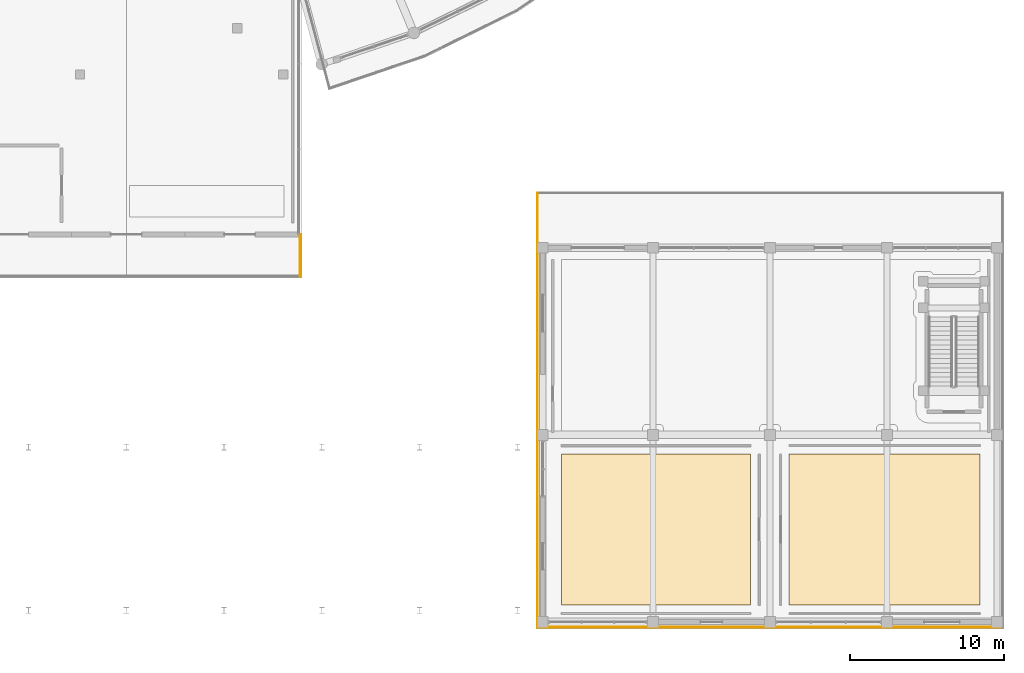
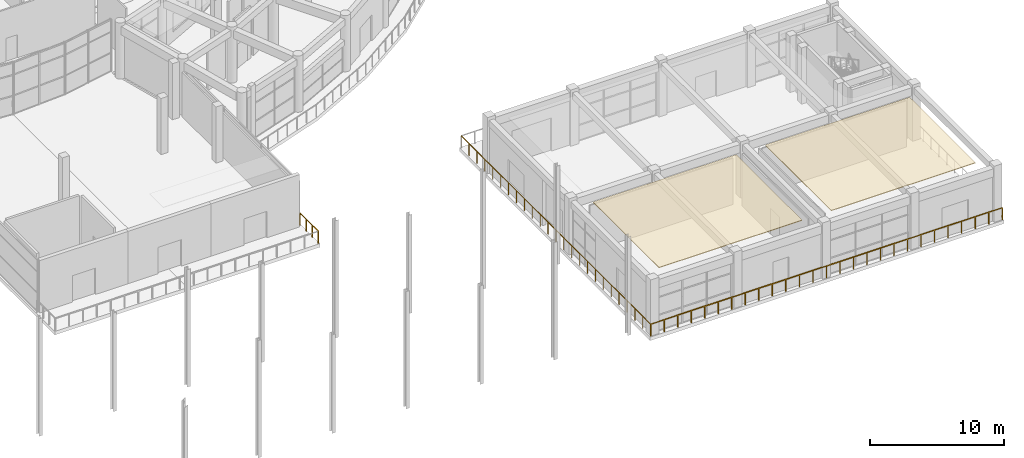
# One storey, part 82 of 99: 3 railings, 2 coverings.
"""IFC4 building model written with IfcOpenShell, lengths in metres."""

from ifc_helpers import new_model, si_unit, direction, frame, origin, origin_2d, place, context, subcontext, project, spatial, polyline, rectangle, outline, extrude, material, layer, layer_set, type_object, element, save


model = new_model("IFC4")

# Units and contexts
model_context = context("Model", 3, precision=1e-05, world=origin(), true_north=direction((0.0, 1.0)))
body_context = subcontext(model_context, "Body", "Model", "MODEL_VIEW")
ifc_project = project(units=[si_unit("LENGTHUNIT", "METRE"), si_unit("AREAUNIT", "SQUARE_METRE"), si_unit("VOLUMEUNIT", "CUBIC_METRE"), si_unit("PLANEANGLEUNIT", "RADIAN"), si_unit("MASSUNIT", "GRAM", prefix="KILO")], contexts=[model_context])

# Site, building, storey
site_placement = place(None, origin())
site = spatial("IfcSite", under=ifc_project, at=site_placement, CompositionType="ELEMENT")
building_placement = place(site_placement, origin())
building = spatial("IfcBuilding", under=site, at=building_placement, Name="Saryqyr Civic Hall", CompositionType="ELEMENT")
storey_placement = place(building_placement, origin())
storey = spatial("IfcBuildingStorey", under=building, at=storey_placement, Name="L00", CompositionType="ELEMENT", Elevation=0.0)

# Coverings
ifc_material_1 = material(Name="Mineral-fibre acoustic ceiling tile", Category="acoustic_tile")
ifc_layer_1 = layer(ifc_material_1, 0.06005859375, Name="Mineral-fibre acoustic ceiling tile")
ifc_layer_set_1 = layer_set([ifc_layer_1], Name="Mineral-fibre acoustic ceiling tile")
covering_type = type_object("IfcCoveringType", Name="INT-COV-CEIL-60", PredefinedType="CEILING", material=ifc_layer_set_1)
covering_1_placement = place(storey_placement, frame((0.0, 0.0, 4.760009765625)))
element("IfcCovering", 1, at=covering_1_placement, inside=storey, type_object=covering_type, Name="Acoustic ceiling Accredited Media Entrance & Press Desk", PredefinedType="CEILING", context=body_context, shape_type="SweptSolid", body=[
    extrude(outline(polyline([(85.25, 1.550048828125), (85.25, 11.35009765625), (97.550048828125, 11.35009765625), (97.550048828125, 1.550048828125), (85.25, 1.550048828125)])), origin(), (0.0, 0.0, 1.0), 0.06005859375),
])
covering_2_placement = place(storey_placement, frame((0.0, 0.0, 4.760009765625)))
element("IfcCovering", 2, at=covering_2_placement, inside=storey, type_object=covering_type, Name="Acoustic ceiling Central Mailroom & Facility Store", PredefinedType="CEILING", context=body_context, shape_type="SweptSolid", body=[
    extrude(outline(polyline([(100.050048828125, 1.550048828125), (100.050048828125, 11.35009765625), (112.449951171875, 11.35009765625), (112.449951171875, 1.550048828125), (100.050048828125, 1.550048828125)])), origin(), (0.0, 0.0, 1.0), 0.06005859375),
])

# Railings
ifc_material_2 = material(Name="Warm brushed brass and laminated glass", Category="glass")
ifc_layer_2 = layer(ifc_material_2, 0.06005859375, Name="Warm brushed brass and laminated glass")
ifc_layer_set_2 = layer_set([ifc_layer_2], Name="Warm brushed brass and laminated glass")
railing_type = type_object("IfcRailingType", Name="INT-RLG-BAL-1100", PredefinedType="BALUSTRADE", material=ifc_layer_set_2)
railing_1_placement = place(storey_placement, frame((113.89990234375, 0.10009765625, 0.0)))
element("IfcRailing", 3, at=railing_1_placement, inside=storey, type_object=railing_type, Name="Interior deck safety balustrade L00-003", PredefinedType="BALUSTRADE", context=body_context, shape_type="SweptSolid", body=[
    extrude(rectangle(XDim=0.048095703125, YDim=0.048095703125, at=origin_2d()), frame((0.0, 0.0, 1.09619140625), z_axis=(-1.0, 0.0, 0.0), x_axis=(0.0, -1.0, 0.0)), (0.0, 0.0, 1.0), 30.199951171875),
    extrude(rectangle(XDim=0.0419921875, YDim=0.0419921875, at=origin_2d()), origin(), (0.0, 0.0, 1.0), 1.072021484375),
    extrude(rectangle(XDim=0.0419921875, YDim=0.0419921875, at=origin_2d()), frame((-1.16162109375, 0.0, 0.0)), (0.0, 0.0, 1.0), 1.072021484375),
    extrude(rectangle(XDim=0.0419921875, YDim=0.0419921875, at=origin_2d()), frame((-2.322998046875, 0.0, 0.0)), (0.0, 0.0, 1.0), 1.072021484375),
    extrude(rectangle(XDim=0.0419921875, YDim=0.0419921875, at=origin_2d()), frame((-3.484619140625, 0.0, 0.0)), (0.0, 0.0, 1.0), 1.072021484375),
    extrude(rectangle(XDim=0.0419921875, YDim=0.0419921875, at=origin_2d()), frame((-4.646240234375, 0.0, 0.0)), (0.0, 0.0, 1.0), 1.072021484375),
    extrude(rectangle(XDim=0.0419921875, YDim=0.0419921875, at=origin_2d()), frame((-5.8076171875, 0.0, 0.0)), (0.0, 0.0, 1.0), 1.072021484375),
    extrude(rectangle(XDim=0.0419921875, YDim=0.0419921875, at=origin_2d()), frame((-6.96923828125, 0.0, 0.0)), (0.0, 0.0, 1.0), 1.072021484375),
    extrude(rectangle(XDim=0.0419921875, YDim=0.0419921875, at=origin_2d()), frame((-8.130859375, 0.0, 0.0)), (0.0, 0.0, 1.0), 1.072021484375),
    extrude(rectangle(XDim=0.0419921875, YDim=0.0419921875, at=origin_2d()), frame((-9.292236328125, 0.0, 0.0)), (0.0, 0.0, 1.0), 1.072021484375),
    extrude(rectangle(XDim=0.0419921875, YDim=0.0419921875, at=origin_2d()), frame((-10.453857421875, 0.0, 0.0)), (0.0, 0.0, 1.0), 1.072021484375),
    extrude(rectangle(XDim=0.0419921875, YDim=0.0419921875, at=origin_2d()), frame((-11.615478515625, 0.0, 0.0)), (0.0, 0.0, 1.0), 1.072021484375),
    extrude(rectangle(XDim=0.0419921875, YDim=0.0419921875, at=origin_2d()), frame((-12.77685546875, 0.0, 0.0)), (0.0, 0.0, 1.0), 1.072021484375),
    extrude(rectangle(XDim=0.0419921875, YDim=0.0419921875, at=origin_2d()), frame((-13.9384765625, 0.0, 0.0)), (0.0, 0.0, 1.0), 1.072021484375),
    extrude(rectangle(XDim=0.0419921875, YDim=0.0419921875, at=origin_2d()), frame((-15.10009765625, 0.0, 0.0)), (0.0, 0.0, 1.0), 1.072021484375),
    extrude(rectangle(XDim=0.0419921875, YDim=0.0419921875, at=origin_2d()), frame((-16.261474609375, 0.0, 0.0)), (0.0, 0.0, 1.0), 1.072021484375),
    extrude(rectangle(XDim=0.0419921875, YDim=0.0419921875, at=origin_2d()), frame((-17.423095703125, 0.0, 0.0)), (0.0, 0.0, 1.0), 1.072021484375),
    extrude(rectangle(XDim=0.0419921875, YDim=0.0419921875, at=origin_2d()), frame((-18.58447265625, 0.0, 0.0)), (0.0, 0.0, 1.0), 1.072021484375),
    extrude(rectangle(XDim=0.0419921875, YDim=0.0419921875, at=origin_2d()), frame((-19.74609375, 0.0, 0.0)), (0.0, 0.0, 1.0), 1.072021484375),
    extrude(rectangle(XDim=0.0419921875, YDim=0.0419921875, at=origin_2d()), frame((-20.90771484375, 0.0, 0.0)), (0.0, 0.0, 1.0), 1.072021484375),
    extrude(rectangle(XDim=0.0419921875, YDim=0.0419921875, at=origin_2d()), frame((-22.069091796875, 0.0, 0.0)), (0.0, 0.0, 1.0), 1.072021484375),
    extrude(rectangle(XDim=0.0419921875, YDim=0.0419921875, at=origin_2d()), frame((-23.230712890625, 0.0, 0.0)), (0.0, 0.0, 1.0), 1.072021484375),
    extrude(rectangle(XDim=0.0419921875, YDim=0.0419921875, at=origin_2d()), frame((-24.392333984375, 0.0, 0.0)), (0.0, 0.0, 1.0), 1.072021484375),
    extrude(rectangle(XDim=0.0419921875, YDim=0.0419921875, at=origin_2d()), frame((-25.5537109375, 0.0, 0.0)), (0.0, 0.0, 1.0), 1.072021484375),
    extrude(rectangle(XDim=0.0419921875, YDim=0.0419921875, at=origin_2d()), frame((-26.71533203125, 0.0, 0.0)), (0.0, 0.0, 1.0), 1.072021484375),
    extrude(rectangle(XDim=0.0419921875, YDim=0.0419921875, at=origin_2d()), frame((-27.876953125, 0.0, 0.0)), (0.0, 0.0, 1.0), 1.072021484375),
    extrude(rectangle(XDim=0.0419921875, YDim=0.0419921875, at=origin_2d()), frame((-29.038330078125, 0.0, 0.0)), (0.0, 0.0, 1.0), 1.072021484375),
    extrude(rectangle(XDim=0.0419921875, YDim=0.0419921875, at=origin_2d()), frame((-30.199951171875, 0.0, 0.0)), (0.0, 0.0, 1.0), 1.072021484375),
])
railing_2_placement = place(storey_placement, frame((83.699951171875, 0.10009765625, 0.0)))
element("IfcRailing", 4, at=railing_2_placement, inside=storey, type_object=railing_type, Name="Interior deck safety balustrade L00-004", PredefinedType="BALUSTRADE", context=body_context, shape_type="SweptSolid", body=[
    extrude(rectangle(XDim=0.048095703125, YDim=0.048095703125, at=origin_2d()), frame((0.0, 0.0, 1.09619140625), z_axis=(0.0, 1.0, 0.0), x_axis=(-1.0, 0.0, 0.0)), (0.0, 0.0, 1.0), 28.199951171875),
    extrude(rectangle(XDim=0.0419921875, YDim=0.0419921875, at=origin_2d()), origin(), (0.0, 0.0, 1.0), 1.072021484375),
    extrude(rectangle(XDim=0.0419921875, YDim=0.0419921875, at=origin_2d()), frame((0.0, 1.175048828125, 0.0)), (0.0, 0.0, 1.0), 1.072021484375),
    extrude(rectangle(XDim=0.0419921875, YDim=0.0419921875, at=origin_2d()), frame((0.0, 2.35009765625, 0.0)), (0.0, 0.0, 1.0), 1.072021484375),
    extrude(rectangle(XDim=0.0419921875, YDim=0.0419921875, at=origin_2d()), frame((0.0, 3.52490234375, 0.0)), (0.0, 0.0, 1.0), 1.072021484375),
    extrude(rectangle(XDim=0.0419921875, YDim=0.0419921875, at=origin_2d()), frame((0.0, 4.699951171875, 0.0)), (0.0, 0.0, 1.0), 1.072021484375),
    extrude(rectangle(XDim=0.0419921875, YDim=0.0419921875, at=origin_2d()), frame((0.0, 5.875, 0.0)), (0.0, 0.0, 1.0), 1.072021484375),
    extrude(rectangle(XDim=0.0419921875, YDim=0.0419921875, at=origin_2d()), frame((0.0, 7.050048828125, 0.0)), (0.0, 0.0, 1.0), 1.072021484375),
    extrude(rectangle(XDim=0.0419921875, YDim=0.0419921875, at=origin_2d()), frame((0.0, 8.22509765625, 0.0)), (0.0, 0.0, 1.0), 1.072021484375),
    extrude(rectangle(XDim=0.0419921875, YDim=0.0419921875, at=origin_2d()), frame((0.0, 9.39990234375, 0.0)), (0.0, 0.0, 1.0), 1.072021484375),
    extrude(rectangle(XDim=0.0419921875, YDim=0.0419921875, at=origin_2d()), frame((0.0, 10.574951171875, 0.0)), (0.0, 0.0, 1.0), 1.072021484375),
    extrude(rectangle(XDim=0.0419921875, YDim=0.0419921875, at=origin_2d()), frame((0.0, 11.75, 0.0)), (0.0, 0.0, 1.0), 1.072021484375),
    extrude(rectangle(XDim=0.0419921875, YDim=0.0419921875, at=origin_2d()), frame((0.0, 12.925048828125, 0.0)), (0.0, 0.0, 1.0), 1.072021484375),
    extrude(rectangle(XDim=0.0419921875, YDim=0.0419921875, at=origin_2d()), frame((0.0, 14.10009765625, 0.0)), (0.0, 0.0, 1.0), 1.072021484375),
    extrude(rectangle(XDim=0.0419921875, YDim=0.0419921875, at=origin_2d()), frame((0.0, 15.27490234375, 0.0)), (0.0, 0.0, 1.0), 1.072021484375),
    extrude(rectangle(XDim=0.0419921875, YDim=0.0419921875, at=origin_2d()), frame((0.0, 16.449951171875, 0.0)), (0.0, 0.0, 1.0), 1.072021484375),
    extrude(rectangle(XDim=0.0419921875, YDim=0.0419921875, at=origin_2d()), frame((0.0, 17.625, 0.0)), (0.0, 0.0, 1.0), 1.072021484375),
    extrude(rectangle(XDim=0.0419921875, YDim=0.0419921875, at=origin_2d()), frame((0.0, 18.800048828125, 0.0)), (0.0, 0.0, 1.0), 1.072021484375),
    extrude(rectangle(XDim=0.0419921875, YDim=0.0419921875, at=origin_2d()), frame((0.0, 19.974853515625, 0.0)), (0.0, 0.0, 1.0), 1.072021484375),
    extrude(rectangle(XDim=0.0419921875, YDim=0.0419921875, at=origin_2d()), frame((0.0, 21.14990234375, 0.0)), (0.0, 0.0, 1.0), 1.072021484375),
    extrude(rectangle(XDim=0.0419921875, YDim=0.0419921875, at=origin_2d()), frame((0.0, 22.324951171875, 0.0)), (0.0, 0.0, 1.0), 1.072021484375),
    extrude(rectangle(XDim=0.0419921875, YDim=0.0419921875, at=origin_2d()), frame((0.0, 23.5, 0.0)), (0.0, 0.0, 1.0), 1.072021484375),
    extrude(rectangle(XDim=0.0419921875, YDim=0.0419921875, at=origin_2d()), frame((0.0, 24.675048828125, 0.0)), (0.0, 0.0, 1.0), 1.072021484375),
    extrude(rectangle(XDim=0.0419921875, YDim=0.0419921875, at=origin_2d()), frame((0.0, 25.849853515625, 0.0)), (0.0, 0.0, 1.0), 1.072021484375),
    extrude(rectangle(XDim=0.0419921875, YDim=0.0419921875, at=origin_2d()), frame((0.0, 27.02490234375, 0.0)), (0.0, 0.0, 1.0), 1.072021484375),
    extrude(rectangle(XDim=0.0419921875, YDim=0.0419921875, at=origin_2d()), frame((0.0, 28.199951171875, 0.0)), (0.0, 0.0, 1.0), 1.072021484375),
])
railing_3_placement = place(storey_placement, frame((68.300048828125, 25.610107421875, 0.0)))
element("IfcRailing", 5, at=railing_3_placement, inside=storey, type_object=railing_type, Name="Interior deck safety balustrade L00-042", PredefinedType="BALUSTRADE", context=body_context, shape_type="SweptSolid", body=[
    extrude(rectangle(XDim=0.048095703125, YDim=0.048095703125, at=origin_2d()), frame((0.0, 0.0, 1.09619140625), z_axis=(0.0, -1.0, 0.0), x_axis=(1.0, 0.0, 0.0)), (0.0, 0.0, 1.0), 2.710205078125),
    extrude(rectangle(XDim=0.0419921875, YDim=0.0419921875, at=origin_2d()), origin(), (0.0, 0.0, 1.0), 1.072021484375),
    extrude(rectangle(XDim=0.0419921875, YDim=0.0419921875, at=origin_2d()), frame((0.0, -0.9033203125, 0.0)), (0.0, 0.0, 1.0), 1.072021484375),
    extrude(rectangle(XDim=0.0419921875, YDim=0.0419921875, at=origin_2d()), frame((0.0, -1.806884765625, 0.0)), (0.0, 0.0, 1.0), 1.072021484375),
    extrude(rectangle(XDim=0.0419921875, YDim=0.0419921875, at=origin_2d()), frame((0.0, -2.710205078125, 0.0)), (0.0, 0.0, 1.0), 1.072021484375),
])

save(model, "model.ifc")
